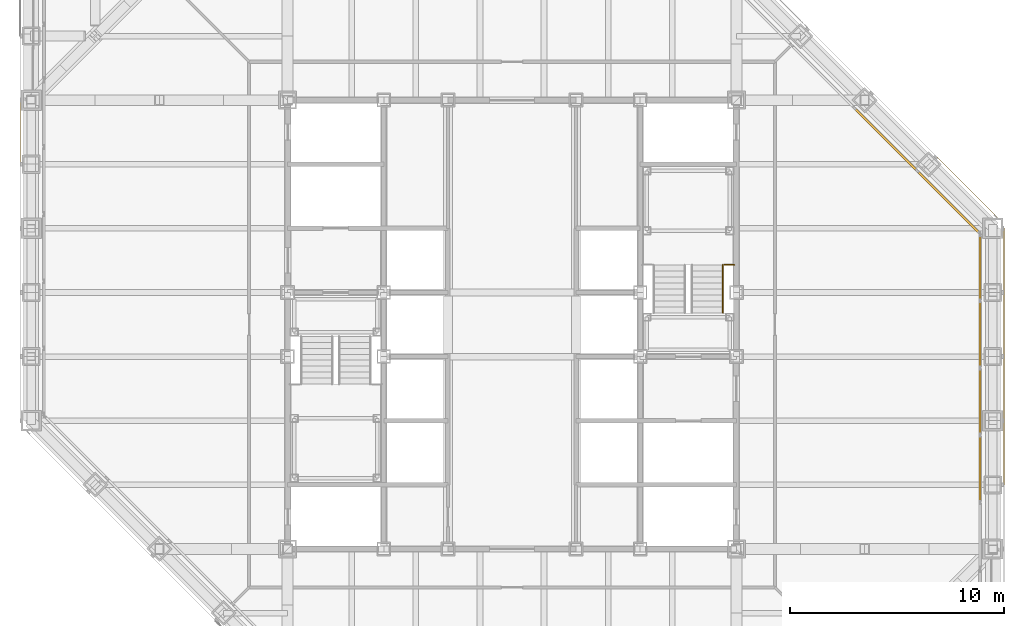
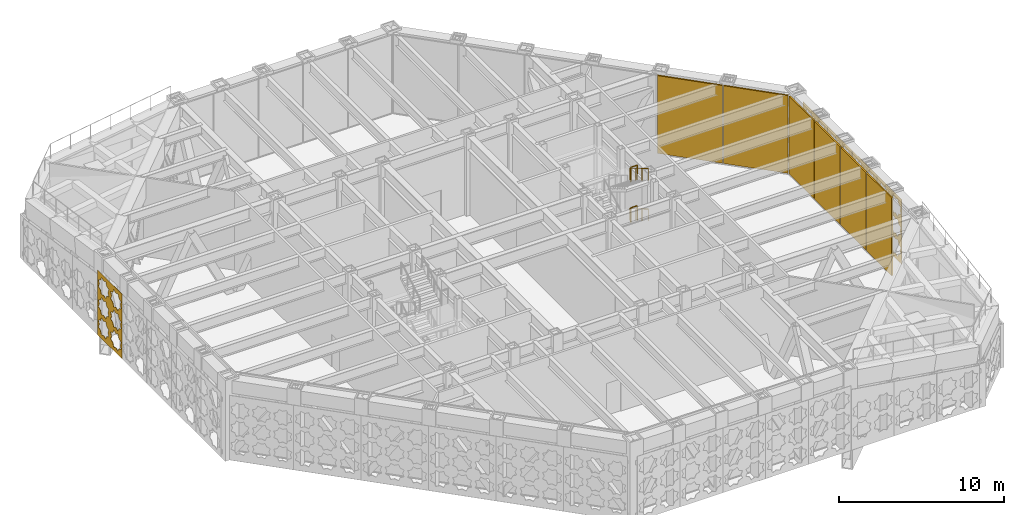
# One storey, part 25 of 28: 6 coverings, 6 shading devices, 4 railings, 2 elements without a shape of their own.
"""IFC4 building model written with IfcOpenShell, lengths in metres."""

import ifcopenshell
import ifcopenshell.guid

model = None  # the IFC model being written
_history = None  # IfcOwnerHistory: only IFC2X3 demands one
_inside = {}  # id of a spatial element -> (the spatial element, [elements in it])
_under = {}  # id of a project, library or spatial element -> (it, [spatial elements below it])
_declared = {}  # id of a project -> (the project, [libraries it declares])
_typed = {}  # id of a type object -> (the type object, [elements of that type])
_made_of = {}  # id of a material, layer set ... -> (it, [elements and type objects made of it])


def new_model(schema):
    """Start an empty IFC model of exactly this schema.

    Asked for "IFC4X3", IfcOpenShell would pick the latest addendum, in which some entities
    have other attributes; the version numbers below select the first issue.
    IFC2X3 requires an IfcOwnerHistory on every rooted entity: one is made here for all.
    """
    global model, _history
    if schema == "IFC4X3":
        model = ifcopenshell.file(schema_version=(4, 3, 0, 0))
    else:
        model = ifcopenshell.file(schema=schema)
    _inside.clear()
    _under.clear()
    _declared.clear()
    _typed.clear()
    _made_of.clear()
    _history = None
    if model.schema == "IFC2X3":
        org = make("IfcOrganization", Name="unknown")
        user = make(
            "IfcPersonAndOrganization",
            ThePerson=make("IfcPerson", FamilyName="unknown"),
            TheOrganization=org,
        )
        app = make(
            "IfcApplication",
            ApplicationDeveloper=org,
            Version="unknown",
            ApplicationFullName="unknown",
            ApplicationIdentifier="unknown",
        )
        _history = make(
            "IfcOwnerHistory",
            OwningUser=user,
            OwningApplication=app,
            ChangeAction="ADDED",
            CreationDate=0,
        )
    return model


def make(cls, **values):
    """One entity of the class cls with the attributes given. An attribute that is None is left unset."""
    return model.create_entity(
        cls, **{name: value for name, value in values.items() if value is not None}
    )


def rooted(cls, **values):
    """An entity with a GlobalId (a new one), such as an element, a storey or a relation."""
    return make(cls, GlobalId=ifcopenshell.guid.new(), OwnerHistory=_history, **values)


def si_unit(unit_type, name, prefix=None):
    """IfcSIUnit, for example si_unit("LENGTHUNIT", "METRE", prefix="MILLI")."""
    return make("IfcSIUnit", UnitType=unit_type, Prefix=prefix, Name=name)


def assignment(units):
    """IfcUnitAssignment: the units of a project."""
    return None if units is None else make("IfcUnitAssignment", Units=units)


def point(xyz):
    """IfcCartesianPoint."""
    return None if xyz is None else make("IfcCartesianPoint", Coordinates=xyz)


def direction(xyz):
    """IfcDirection."""
    return None if xyz is None else make("IfcDirection", DirectionRatios=xyz)


def frame(location, z_axis=None, x_axis=None):
    """IfcAxis2Placement3D, a coordinate frame: its origin and axes. An axis left out is left unset."""
    return make(
        "IfcAxis2Placement3D",
        Location=point(location),
        Axis=direction(z_axis),
        RefDirection=direction(x_axis),
    )


def frame_2d(location, x_axis=None):
    """IfcAxis2Placement2D, a coordinate frame in the plane: its origin and x axis."""
    return make(
        "IfcAxis2Placement2D", Location=point(location), RefDirection=direction(x_axis)
    )


def origin():
    """The frame at (0, 0, 0) with its axes left unset."""
    return frame((0.0, 0.0, 0.0))


def origin_2d():
    """The frame at (0, 0) in the plane with its x axis left unset."""
    return frame_2d((0.0, 0.0))


def place(relative_to, where):
    """IfcLocalPlacement: puts the frame where relative to a parent placement (None: the world)."""
    return make(
        "IfcLocalPlacement", PlacementRelTo=relative_to, RelativePlacement=where
    )


def context(
    kind, dimensions, precision=None, world=None, true_north=None, identifier=None
):
    """IfcGeometricRepresentationContext, for example the 3D "Model" context."""
    return make(
        "IfcGeometricRepresentationContext",
        ContextIdentifier=identifier,
        ContextType=kind,
        CoordinateSpaceDimension=dimensions,
        Precision=precision,
        WorldCoordinateSystem=world,
        TrueNorth=true_north,
    )


def subcontext(parent, identifier, kind, view, scale=None):
    """IfcGeometricRepresentationSubContext, for example "Body" below "Model"."""
    return make(
        "IfcGeometricRepresentationSubContext",
        ContextIdentifier=identifier,
        ContextType=kind,
        ParentContext=parent,
        TargetScale=scale,
        TargetView=view,
    )


def project(units=None, contexts=None):
    """IfcProject with its units and contexts."""
    return rooted(
        "IfcProject",
        Name="project",
        RepresentationContexts=contexts,
        UnitsInContext=assignment(units),
    )


def spatial(cls, under=None, at=None, **own):
    """A site, building, storey or space (cls), placed at a placement, below another one or the project."""
    s = rooted(cls, ObjectPlacement=at, **own)
    if under is not None:
        _under.setdefault(under.id(), (under, []))[1].append(s)
    return s


def polyline(points):
    """IfcPolyline through the points."""
    return make("IfcPolyline", Points=[point(p) for p in points])


def profile(cls, at=None, kind="AREA", **sizes):
    """A parametric profile (cls). Its sizes go by their IFC names, for example OverallWidth=200.0."""
    return make(cls, ProfileType=kind, Position=at, **sizes)


def rectangle(**sizes):
    """IfcRectangleProfileDef."""
    return profile("IfcRectangleProfileDef", **sizes)


def circle(**sizes):
    """IfcCircleProfileDef."""
    return profile("IfcCircleProfileDef", **sizes)


def outline(outer, holes=None, kind="AREA"):
    """IfcArbitraryClosedProfileDef: a profile drawn as a closed curve; with holes, ...WithVoids."""
    if holes is None:
        return make("IfcArbitraryClosedProfileDef", ProfileType=kind, OuterCurve=outer)
    return make(
        "IfcArbitraryProfileDefWithVoids",
        ProfileType=kind,
        OuterCurve=outer,
        InnerCurves=holes,
    )


def extrude(swept, where, along, depth):
    """IfcExtrudedAreaSolid: the profile swept, set in the frame where, extruded along a direction by depth."""
    return make(
        "IfcExtrudedAreaSolid",
        SweptArea=swept,
        Position=where,
        ExtrudedDirection=direction(along),
        Depth=depth,
    )


def shape(context_of_items, identifier, shape_type, items):
    """IfcShapeRepresentation: the items that make up one representation, for example the "Body"."""
    return make(
        "IfcShapeRepresentation",
        ContextOfItems=context_of_items,
        RepresentationIdentifier=identifier,
        RepresentationType=shape_type,
        Items=items,
    )


def material(Name=None, Category=None):
    """IfcMaterial."""
    return make("IfcMaterial", Name=Name, Category=Category)


def layer(
    of_material, thickness, ventilated=None, Name=None, Category=None, Priority=None
):
    """IfcMaterialLayer: one layer of a wall or slab, of a material (None: an air gap)."""
    return make(
        "IfcMaterialLayer",
        Material=of_material,
        LayerThickness=thickness,
        IsVentilated=ventilated,
        Name=Name,
        Category=Category,
        Priority=Priority,
    )


def layer_set(layers, Name=None):
    """IfcMaterialLayerSet."""
    return make("IfcMaterialLayerSet", MaterialLayers=layers, LayerSetName=Name)


def made_of(thing, what):
    """Note that an element or type object is made of a material, layer set ...; save() writes the relation."""
    if what is not None:
        _made_of.setdefault(what.id(), (what, []))[1].append(thing)
    return thing


def type_object(cls, material=None, **own):
    """A type object (cls), such as IfcWallType, which elements share."""
    return made_of(rooted(cls, **own), material)


def element(
    cls,
    number,
    at=None,
    inside=None,
    cuts=None,
    type_object=None,
    material=None,
    context=None,
    identifier="Body",
    shape_type=None,
    held_by="IfcProductDefinitionShape",
    body=None,
    shapes=None,
    **own,
):
    """One element of the class cls, such as IfcWall. Its Tag is "e" and its number.

    at: its placement. inside: the storey or other place that contains it. cuts: it is an
    opening in that element (IfcRelVoidsElement). A single representation is given by context,
    identifier, shape_type and body (its items); several are given by shapes. held_by: the class
    of the entity that holds the representations. save() writes the other relations.
    """
    e = rooted(cls, Tag="e%d" % number, ObjectPlacement=at, **own)
    if body is not None:
        shapes = [shape(context, identifier, shape_type, body)]
    if shapes is not None:
        e.Representation = make(held_by, Representations=shapes)
    if inside is not None:
        _inside.setdefault(inside.id(), (inside, []))[1].append(e)
    if cuts is not None:
        rooted(
            "IfcRelVoidsElement", RelatingBuildingElement=cuts, RelatedOpeningElement=e
        )
    if type_object is not None:
        _typed.setdefault(type_object.id(), (type_object, []))[1].append(e)
    return made_of(e, material)


def aggregate(whole, parts):
    """IfcRelAggregates: a whole, such as a stair, and the parts it consists of."""
    return rooted("IfcRelAggregates", RelatingObject=whole, RelatedObjects=parts)


def save(model, path):
    """Write the relations noted so far, then the file.

    IfcRelAggregates (storeys below a building ...), IfcRelContainedInSpatialStructure (elements
    in a storey), IfcRelDefinesByType, IfcRelAssociatesMaterial and IfcRelDeclares: one each for
    every whole, place, type object, material and project.
    """
    for whole, parts in _under.values():
        aggregate(whole, parts)
    for where, things in _inside.values():
        rooted(
            "IfcRelContainedInSpatialStructure",
            RelatedElements=things,
            RelatingStructure=where,
        )
    for kind, things in _typed.values():
        rooted("IfcRelDefinesByType", RelatedObjects=things, RelatingType=kind)
    for what, things in _made_of.values():
        rooted("IfcRelAssociatesMaterial", RelatedObjects=things, RelatingMaterial=what)
    for by, libraries in _declared.values():
        rooted("IfcRelDeclares", RelatingContext=by, RelatedDefinitions=libraries)
    model.write(path)


model = new_model("IFC4")

# Units and contexts
model_context = context("Model", 3, precision=1e-05, world=origin(), true_north=direction((0.0, 1.0)))
body_context = subcontext(model_context, "Body", "Model", "MODEL_VIEW")
ifc_project = project(units=[si_unit("LENGTHUNIT", "METRE"), si_unit("AREAUNIT", "SQUARE_METRE"), si_unit("VOLUMEUNIT", "CUBIC_METRE"), si_unit("PLANEANGLEUNIT", "RADIAN"), si_unit("MASSUNIT", "GRAM", prefix="KILO")], contexts=[model_context])

# Site, building, storey
site_placement = place(None, origin())
site = spatial("IfcSite", under=ifc_project, at=site_placement, CompositionType="ELEMENT")
building_placement = place(site_placement, origin())
building = spatial("IfcBuilding", under=site, at=building_placement, Name="Chuquiago Exchange Tower", CompositionType="ELEMENT")
storey_placement = place(building_placement, frame((0.0, 0.0, 174.0)))
storey = spatial("IfcBuildingStorey", under=building, at=storey_placement, Name="L38", CompositionType="ELEMENT", Elevation=174.0)

# Curtain wall, shading devices
ifc_material_1 = material(Name="Aluminium curtain wall system", Category="aluminium")
ifc_layer_1 = layer(ifc_material_1, 0.199951171875)
ifc_layer_set_1 = layer_set([ifc_layer_1], Name="CW6 plant floor louvre wall")
curtain_wall_type = type_object("IfcCurtainWallType", Name="CW6 plant floor louvre wall", PredefinedType="NOTDEFINED", material=ifc_layer_set_1)
curtain_wall_1_placement = place(storey_placement, origin())
curtain_wall_1 = element("IfcCurtainWall", 1, at=curtain_wall_1_placement, inside=storey, type_object=curtain_wall_type, Name="CW6 curtain wall L38", PredefinedType="NOTDEFINED")
ifc_material_2 = material(Name="Aluminium louvre", Category="aluminium")
ifc_layer_2 = layer(ifc_material_2, 0.10009765625)
ifc_layer_set_2 = layer_set([ifc_layer_2], Name="CW6-P louvre panel 100")
shading_device_type = type_object("IfcShadingDeviceType", Name="CW6-P louvre panel 100", PredefinedType="USERDEFINED", material=ifc_layer_set_2)
shading_device_1_placement = place(storey_placement, frame((44.39990234375, 15.7578125, 0.0751953125), z_axis=(0.0, 0.0, 1.0), x_axis=(0.0, 1.0, 0.0)))
shading_device_1 = element("IfcShadingDevice", 2, at=shading_device_1_placement, type_object=shading_device_type, Name="CW6 panel 2.1", ObjectType="LOUVER", PredefinedType="USERDEFINED", context=body_context, shape_type="SweptSolid", body=[
    extrude(rectangle(XDim=3.06591796875, YDim=0.10009765625, at=origin_2d()), origin(), (0.0, 0.0, 1.0), 5.764892578125),
])
shading_device_2_placement = place(storey_placement, frame((44.39990234375, 18.89892578125, 0.0751953125), z_axis=(0.0, 0.0, 1.0), x_axis=(0.0, 1.0, 0.0)))
shading_device_2 = element("IfcShadingDevice", 3, at=shading_device_2_placement, type_object=shading_device_type, Name="CW6 panel 3.1", ObjectType="LOUVER", PredefinedType="USERDEFINED", context=body_context, shape_type="SweptSolid", body=[
    extrude(rectangle(XDim=3.06591796875, YDim=0.10009765625, at=origin_2d()), origin(), (0.0, 0.0, 1.0), 5.764892578125),
])
shading_device_3_placement = place(storey_placement, frame((44.39990234375, 22.0400390625, 0.0751953125), z_axis=(0.0, 0.0, 1.0), x_axis=(0.0, 1.0, 0.0)))
shading_device_3 = element("IfcShadingDevice", 4, at=shading_device_3_placement, type_object=shading_device_type, Name="CW6 panel 4.1", ObjectType="LOUVER", PredefinedType="USERDEFINED", context=body_context, shape_type="SweptSolid", body=[
    extrude(rectangle(XDim=3.06591796875, YDim=0.10009765625, at=origin_2d()), origin(), (0.0, 0.0, 1.0), 5.764892578125),
])
shading_device_4_placement = place(storey_placement, frame((44.39990234375, 25.162353515625, 0.0751953125), z_axis=(0.0, 0.0, 1.0), x_axis=(0.0, 1.0, 0.0)))
shading_device_4 = element("IfcShadingDevice", 5, at=shading_device_4_placement, type_object=shading_device_type, Name="CW6 panel 5.1", ObjectType="LOUVER", PredefinedType="USERDEFINED", context=body_context, shape_type="SweptSolid", body=[
    extrude(rectangle(XDim=3.028564453125, YDim=0.10009765625, at=origin_2d()), origin(), (0.0, 0.0, 1.0), 5.764892578125),
])
aggregate(curtain_wall_1, [shading_device_1, shading_device_2, shading_device_3, shading_device_4])

curtain_wall_2_placement = place(storey_placement, origin())
curtain_wall_2 = element("IfcCurtainWall", 6, at=curtain_wall_2_placement, inside=storey, type_object=curtain_wall_type, Name="CW6 curtain wall L38", PredefinedType="NOTDEFINED")
shading_device_5_placement = place(storey_placement, frame((42.916015625, 28.2353515625, 0.0751953125), z_axis=(0.0, 0.0, 1.0), x_axis=(-0.707106781187, 0.707106781187, 0.0)))
shading_device_5 = element("IfcShadingDevice", 7, at=shading_device_5_placement, type_object=shading_device_type, Name="CW6 panel 1.1", ObjectType="LOUVER", PredefinedType="USERDEFINED", context=body_context, shape_type="SweptSolid", body=[
    extrude(rectangle(XDim=4.04736328125, YDim=0.10009765625, at=origin_2d()), origin(), (0.0, 0.0, 1.0), 5.764892578125),
])
shading_device_6_placement = place(storey_placement, frame((39.98779296875, 31.16357421875, 0.0751953125), z_axis=(0.0, 0.0, 1.0), x_axis=(-0.707106781187, 0.707106781187, 0.0)))
shading_device_6 = element("IfcShadingDevice", 8, at=shading_device_6_placement, type_object=shading_device_type, Name="CW6 panel 2.1", ObjectType="LOUVER", PredefinedType="USERDEFINED", context=body_context, shape_type="SweptSolid", body=[
    extrude(rectangle(XDim=4.084716796875, YDim=0.10009765625, at=origin_2d()), origin(), (0.0, 0.0, 1.0), 5.764892578125),
])
aggregate(curtain_wall_2, [shading_device_5, shading_device_6])

# Coverings
ifc_material_3 = material(Name="Anodised aluminium, pale", Category="aluminium")
ifc_layer_3 = layer(ifc_material_3, 0.02001953125)
ifc_layer_set_3 = layer_set([ifc_layer_3], Name="GC1 girih cladding panel 20")
covering_type_1 = type_object("IfcCoveringType", Name="GC1 girih cladding panel 20", PredefinedType="CLADDING", material=ifc_layer_set_3)
covering_1_placement = place(storey_placement, frame((45.5, 15.0048828125, 0.050048828125), z_axis=(0.0, 0.0, 1.0), x_axis=(0.0, 1.0, 0.0)))
element("IfcCovering", 9, at=covering_1_placement, inside=storey, type_object=covering_type_1, Name="Girih cladding panel L38 E 5", PredefinedType="CLADDING", context=body_context, shape_type="SweptSolid", body=[
    extrude(outline(polyline([(0.0, 0.0), (2.989990234375, 0.0), (2.989990234375, 4.7900390625), (0.0, 4.7900390625), (0.0, 0.0)]), holes=[polyline([(1.27392578125, 0.89990234375), (1.3828125, 1.1630859375), (1.11962890625, 1.272216796875), (1.0107421875, 1.535400390625), (0.74755859375, 1.42626953125), (0.484375, 1.535400390625), (0.375244140625, 1.272216796875), (0.112060546875, 1.1630859375), (0.22119140625, 0.89990234375), (0.112060546875, 0.63671875), (0.375244140625, 0.52783203125), (0.484375, 0.2646484375), (0.74755859375, 0.37353515625), (1.0107421875, 0.2646484375), (1.11962890625, 0.52783203125), (1.3828125, 0.63671875), (1.27392578125, 0.89990234375)]), polyline([(2.768798828125, 0.89990234375), (2.8779296875, 1.1630859375), (2.61474609375, 1.272216796875), (2.505615234375, 1.535400390625), (2.242431640625, 1.42626953125), (1.979248046875, 1.535400390625), (1.870361328125, 1.272216796875), (1.607177734375, 1.1630859375), (1.716064453125, 0.89990234375), (1.607177734375, 0.63671875), (1.870361328125, 0.52783203125), (1.979248046875, 0.2646484375), (2.242431640625, 0.37353515625), (2.505615234375, 0.2646484375), (2.61474609375, 0.52783203125), (2.8779296875, 0.63671875), (2.768798828125, 0.89990234375)]), polyline([(1.27392578125, 2.39501953125), (1.3828125, 2.658203125), (1.11962890625, 2.76708984375), (1.0107421875, 3.0302734375), (0.74755859375, 2.92138671875), (0.484375, 3.0302734375), (0.375244140625, 2.76708984375), (0.112060546875, 2.658203125), (0.22119140625, 2.39501953125), (0.112060546875, 2.1318359375), (0.375244140625, 2.022705078125), (0.484375, 1.759521484375), (0.74755859375, 1.86865234375), (1.0107421875, 1.759521484375), (1.11962890625, 2.022705078125), (1.3828125, 2.1318359375), (1.27392578125, 2.39501953125)]), polyline([(2.768798828125, 2.39501953125), (2.8779296875, 2.658203125), (2.61474609375, 2.76708984375), (2.505615234375, 3.0302734375), (2.242431640625, 2.92138671875), (1.979248046875, 3.0302734375), (1.870361328125, 2.76708984375), (1.607177734375, 2.658203125), (1.716064453125, 2.39501953125), (1.607177734375, 2.1318359375), (1.870361328125, 2.022705078125), (1.979248046875, 1.759521484375), (2.242431640625, 1.86865234375), (2.505615234375, 1.759521484375), (2.61474609375, 2.022705078125), (2.8779296875, 2.1318359375), (2.768798828125, 2.39501953125)]), polyline([(1.27392578125, 3.889892578125), (1.3828125, 4.153076171875), (1.11962890625, 4.26220703125), (1.0107421875, 4.525390625), (0.74755859375, 4.416259765625), (0.484375, 4.525390625), (0.375244140625, 4.26220703125), (0.112060546875, 4.153076171875), (0.22119140625, 3.889892578125), (0.112060546875, 3.626708984375), (0.375244140625, 3.517822265625), (0.484375, 3.254638671875), (0.74755859375, 3.363525390625), (1.0107421875, 3.254638671875), (1.11962890625, 3.517822265625), (1.3828125, 3.626708984375), (1.27392578125, 3.889892578125)]), polyline([(2.768798828125, 3.889892578125), (2.8779296875, 4.153076171875), (2.61474609375, 4.26220703125), (2.505615234375, 4.525390625), (2.242431640625, 4.416259765625), (1.979248046875, 4.525390625), (1.870361328125, 4.26220703125), (1.607177734375, 4.153076171875), (1.716064453125, 3.889892578125), (1.607177734375, 3.626708984375), (1.870361328125, 3.517822265625), (1.979248046875, 3.254638671875), (2.242431640625, 3.363525390625), (2.505615234375, 3.254638671875), (2.61474609375, 3.517822265625), (2.8779296875, 3.626708984375), (2.768798828125, 3.889892578125)])]), frame((0.0, 0.0, 0.0), z_axis=(0.0, -1.0, 0.0), x_axis=(1.0, 0.0, 0.0)), (0.0, 0.0, 1.0), 0.02001953125),
])
covering_2_placement = place(storey_placement, frame((45.5, 18.0048828125, 0.050048828125), z_axis=(0.0, 0.0, 1.0), x_axis=(0.0, 1.0, 0.0)))
element("IfcCovering", 10, at=covering_2_placement, inside=storey, type_object=covering_type_1, Name="Girih cladding panel L38 E 6", PredefinedType="CLADDING", context=body_context, shape_type="SweptSolid", body=[
    extrude(outline(polyline([(0.0, 0.0), (2.989990234375, 0.0), (2.989990234375, 4.7900390625), (0.0, 4.7900390625), (0.0, 0.0)]), holes=[polyline([(1.27392578125, 0.89990234375), (1.3828125, 1.1630859375), (1.11962890625, 1.272216796875), (1.0107421875, 1.535400390625), (0.74755859375, 1.42626953125), (0.484375, 1.535400390625), (0.375244140625, 1.272216796875), (0.112060546875, 1.1630859375), (0.22119140625, 0.89990234375), (0.112060546875, 0.63671875), (0.375244140625, 0.52783203125), (0.484375, 0.2646484375), (0.74755859375, 0.37353515625), (1.0107421875, 0.2646484375), (1.11962890625, 0.52783203125), (1.3828125, 0.63671875), (1.27392578125, 0.89990234375)]), polyline([(2.768798828125, 0.89990234375), (2.8779296875, 1.1630859375), (2.61474609375, 1.272216796875), (2.505615234375, 1.535400390625), (2.242431640625, 1.42626953125), (1.979248046875, 1.535400390625), (1.870361328125, 1.272216796875), (1.607177734375, 1.1630859375), (1.716064453125, 0.89990234375), (1.607177734375, 0.63671875), (1.870361328125, 0.52783203125), (1.979248046875, 0.2646484375), (2.242431640625, 0.37353515625), (2.505615234375, 0.2646484375), (2.61474609375, 0.52783203125), (2.8779296875, 0.63671875), (2.768798828125, 0.89990234375)]), polyline([(1.27392578125, 2.39501953125), (1.3828125, 2.658203125), (1.11962890625, 2.76708984375), (1.0107421875, 3.0302734375), (0.74755859375, 2.92138671875), (0.484375, 3.0302734375), (0.375244140625, 2.76708984375), (0.112060546875, 2.658203125), (0.22119140625, 2.39501953125), (0.112060546875, 2.1318359375), (0.375244140625, 2.022705078125), (0.484375, 1.759521484375), (0.74755859375, 1.86865234375), (1.0107421875, 1.759521484375), (1.11962890625, 2.022705078125), (1.3828125, 2.1318359375), (1.27392578125, 2.39501953125)]), polyline([(2.768798828125, 2.39501953125), (2.8779296875, 2.658203125), (2.61474609375, 2.76708984375), (2.505615234375, 3.0302734375), (2.242431640625, 2.92138671875), (1.979248046875, 3.0302734375), (1.870361328125, 2.76708984375), (1.607177734375, 2.658203125), (1.716064453125, 2.39501953125), (1.607177734375, 2.1318359375), (1.870361328125, 2.022705078125), (1.979248046875, 1.759521484375), (2.242431640625, 1.86865234375), (2.505615234375, 1.759521484375), (2.61474609375, 2.022705078125), (2.8779296875, 2.1318359375), (2.768798828125, 2.39501953125)]), polyline([(1.27392578125, 3.889892578125), (1.3828125, 4.153076171875), (1.11962890625, 4.26220703125), (1.0107421875, 4.525390625), (0.74755859375, 4.416259765625), (0.484375, 4.525390625), (0.375244140625, 4.26220703125), (0.112060546875, 4.153076171875), (0.22119140625, 3.889892578125), (0.112060546875, 3.626708984375), (0.375244140625, 3.517822265625), (0.484375, 3.254638671875), (0.74755859375, 3.363525390625), (1.0107421875, 3.254638671875), (1.11962890625, 3.517822265625), (1.3828125, 3.626708984375), (1.27392578125, 3.889892578125)]), polyline([(2.768798828125, 3.889892578125), (2.8779296875, 4.153076171875), (2.61474609375, 4.26220703125), (2.505615234375, 4.525390625), (2.242431640625, 4.416259765625), (1.979248046875, 4.525390625), (1.870361328125, 4.26220703125), (1.607177734375, 4.153076171875), (1.716064453125, 3.889892578125), (1.607177734375, 3.626708984375), (1.870361328125, 3.517822265625), (1.979248046875, 3.254638671875), (2.242431640625, 3.363525390625), (2.505615234375, 3.254638671875), (2.61474609375, 3.517822265625), (2.8779296875, 3.626708984375), (2.768798828125, 3.889892578125)])]), frame((0.0, 0.0, 0.0), z_axis=(0.0, -1.0, 0.0), x_axis=(1.0, 0.0, 0.0)), (0.0, 0.0, 1.0), 0.02001953125),
])
covering_3_placement = place(storey_placement, frame((45.5, 21.0048828125, 0.050048828125), z_axis=(0.0, 0.0, 1.0), x_axis=(0.0, 1.0, 0.0)))
element("IfcCovering", 11, at=covering_3_placement, inside=storey, type_object=covering_type_1, Name="Girih cladding panel L38 E 7", PredefinedType="CLADDING", context=body_context, shape_type="SweptSolid", body=[
    extrude(outline(polyline([(0.0, 0.0), (2.989990234375, 0.0), (2.989990234375, 4.7900390625), (0.0, 4.7900390625), (0.0, 0.0)]), holes=[polyline([(1.27392578125, 0.89990234375), (1.3828125, 1.1630859375), (1.11962890625, 1.272216796875), (1.0107421875, 1.535400390625), (0.74755859375, 1.42626953125), (0.484375, 1.535400390625), (0.375244140625, 1.272216796875), (0.112060546875, 1.1630859375), (0.22119140625, 0.89990234375), (0.112060546875, 0.63671875), (0.375244140625, 0.52783203125), (0.484375, 0.2646484375), (0.74755859375, 0.37353515625), (1.0107421875, 0.2646484375), (1.11962890625, 0.52783203125), (1.3828125, 0.63671875), (1.27392578125, 0.89990234375)]), polyline([(2.768798828125, 0.89990234375), (2.8779296875, 1.1630859375), (2.61474609375, 1.272216796875), (2.505615234375, 1.535400390625), (2.242431640625, 1.42626953125), (1.979248046875, 1.535400390625), (1.870361328125, 1.272216796875), (1.607177734375, 1.1630859375), (1.716064453125, 0.89990234375), (1.607177734375, 0.63671875), (1.870361328125, 0.52783203125), (1.979248046875, 0.2646484375), (2.242431640625, 0.37353515625), (2.505615234375, 0.2646484375), (2.61474609375, 0.52783203125), (2.8779296875, 0.63671875), (2.768798828125, 0.89990234375)]), polyline([(1.27392578125, 2.39501953125), (1.3828125, 2.658203125), (1.11962890625, 2.76708984375), (1.0107421875, 3.0302734375), (0.74755859375, 2.92138671875), (0.484375, 3.0302734375), (0.375244140625, 2.76708984375), (0.112060546875, 2.658203125), (0.22119140625, 2.39501953125), (0.112060546875, 2.1318359375), (0.375244140625, 2.022705078125), (0.484375, 1.759521484375), (0.74755859375, 1.86865234375), (1.0107421875, 1.759521484375), (1.11962890625, 2.022705078125), (1.3828125, 2.1318359375), (1.27392578125, 2.39501953125)]), polyline([(2.768798828125, 2.39501953125), (2.8779296875, 2.658203125), (2.61474609375, 2.76708984375), (2.505615234375, 3.0302734375), (2.242431640625, 2.92138671875), (1.979248046875, 3.0302734375), (1.870361328125, 2.76708984375), (1.607177734375, 2.658203125), (1.716064453125, 2.39501953125), (1.607177734375, 2.1318359375), (1.870361328125, 2.022705078125), (1.979248046875, 1.759521484375), (2.242431640625, 1.86865234375), (2.505615234375, 1.759521484375), (2.61474609375, 2.022705078125), (2.8779296875, 2.1318359375), (2.768798828125, 2.39501953125)]), polyline([(1.27392578125, 3.889892578125), (1.3828125, 4.153076171875), (1.11962890625, 4.26220703125), (1.0107421875, 4.525390625), (0.74755859375, 4.416259765625), (0.484375, 4.525390625), (0.375244140625, 4.26220703125), (0.112060546875, 4.153076171875), (0.22119140625, 3.889892578125), (0.112060546875, 3.626708984375), (0.375244140625, 3.517822265625), (0.484375, 3.254638671875), (0.74755859375, 3.363525390625), (1.0107421875, 3.254638671875), (1.11962890625, 3.517822265625), (1.3828125, 3.626708984375), (1.27392578125, 3.889892578125)]), polyline([(2.768798828125, 3.889892578125), (2.8779296875, 4.153076171875), (2.61474609375, 4.26220703125), (2.505615234375, 4.525390625), (2.242431640625, 4.416259765625), (1.979248046875, 4.525390625), (1.870361328125, 4.26220703125), (1.607177734375, 4.153076171875), (1.716064453125, 3.889892578125), (1.607177734375, 3.626708984375), (1.870361328125, 3.517822265625), (1.979248046875, 3.254638671875), (2.242431640625, 3.363525390625), (2.505615234375, 3.254638671875), (2.61474609375, 3.517822265625), (2.8779296875, 3.626708984375), (2.768798828125, 3.889892578125)])]), frame((0.0, 0.0, 0.0), z_axis=(0.0, -1.0, 0.0), x_axis=(1.0, 0.0, 0.0)), (0.0, 0.0, 1.0), 0.02001953125),
])
covering_4_placement = place(storey_placement, frame((45.5, 24.0048828125, 0.050048828125), z_axis=(0.0, 0.0, 1.0), x_axis=(0.0, 1.0, 0.0)))
element("IfcCovering", 12, at=covering_4_placement, inside=storey, type_object=covering_type_1, Name="Girih cladding panel L38 E 8", PredefinedType="CLADDING", context=body_context, shape_type="SweptSolid", body=[
    extrude(outline(polyline([(0.0, 0.0), (2.989990234375, 0.0), (2.989990234375, 4.7900390625), (0.0, 4.7900390625), (0.0, 0.0)]), holes=[polyline([(1.27392578125, 0.89990234375), (1.3828125, 1.1630859375), (1.11962890625, 1.272216796875), (1.0107421875, 1.535400390625), (0.74755859375, 1.42626953125), (0.484375, 1.535400390625), (0.375244140625, 1.272216796875), (0.112060546875, 1.1630859375), (0.22119140625, 0.89990234375), (0.112060546875, 0.63671875), (0.375244140625, 0.52783203125), (0.484375, 0.2646484375), (0.74755859375, 0.37353515625), (1.0107421875, 0.2646484375), (1.11962890625, 0.52783203125), (1.3828125, 0.63671875), (1.27392578125, 0.89990234375)]), polyline([(2.768798828125, 0.89990234375), (2.8779296875, 1.1630859375), (2.61474609375, 1.272216796875), (2.505615234375, 1.535400390625), (2.242431640625, 1.42626953125), (1.979248046875, 1.535400390625), (1.870361328125, 1.272216796875), (1.607177734375, 1.1630859375), (1.716064453125, 0.89990234375), (1.607177734375, 0.63671875), (1.870361328125, 0.52783203125), (1.979248046875, 0.2646484375), (2.242431640625, 0.37353515625), (2.505615234375, 0.2646484375), (2.61474609375, 0.52783203125), (2.8779296875, 0.63671875), (2.768798828125, 0.89990234375)]), polyline([(1.27392578125, 2.39501953125), (1.3828125, 2.658203125), (1.11962890625, 2.76708984375), (1.0107421875, 3.0302734375), (0.74755859375, 2.92138671875), (0.484375, 3.0302734375), (0.375244140625, 2.76708984375), (0.112060546875, 2.658203125), (0.22119140625, 2.39501953125), (0.112060546875, 2.1318359375), (0.375244140625, 2.022705078125), (0.484375, 1.759521484375), (0.74755859375, 1.86865234375), (1.0107421875, 1.759521484375), (1.11962890625, 2.022705078125), (1.3828125, 2.1318359375), (1.27392578125, 2.39501953125)]), polyline([(2.768798828125, 2.39501953125), (2.8779296875, 2.658203125), (2.61474609375, 2.76708984375), (2.505615234375, 3.0302734375), (2.242431640625, 2.92138671875), (1.979248046875, 3.0302734375), (1.870361328125, 2.76708984375), (1.607177734375, 2.658203125), (1.716064453125, 2.39501953125), (1.607177734375, 2.1318359375), (1.870361328125, 2.022705078125), (1.979248046875, 1.759521484375), (2.242431640625, 1.86865234375), (2.505615234375, 1.759521484375), (2.61474609375, 2.022705078125), (2.8779296875, 2.1318359375), (2.768798828125, 2.39501953125)]), polyline([(1.27392578125, 3.889892578125), (1.3828125, 4.153076171875), (1.11962890625, 4.26220703125), (1.0107421875, 4.525390625), (0.74755859375, 4.416259765625), (0.484375, 4.525390625), (0.375244140625, 4.26220703125), (0.112060546875, 4.153076171875), (0.22119140625, 3.889892578125), (0.112060546875, 3.626708984375), (0.375244140625, 3.517822265625), (0.484375, 3.254638671875), (0.74755859375, 3.363525390625), (1.0107421875, 3.254638671875), (1.11962890625, 3.517822265625), (1.3828125, 3.626708984375), (1.27392578125, 3.889892578125)]), polyline([(2.768798828125, 3.889892578125), (2.8779296875, 4.153076171875), (2.61474609375, 4.26220703125), (2.505615234375, 4.525390625), (2.242431640625, 4.416259765625), (1.979248046875, 4.525390625), (1.870361328125, 4.26220703125), (1.607177734375, 4.153076171875), (1.716064453125, 3.889892578125), (1.607177734375, 3.626708984375), (1.870361328125, 3.517822265625), (1.979248046875, 3.254638671875), (2.242431640625, 3.363525390625), (2.505615234375, 3.254638671875), (2.61474609375, 3.517822265625), (2.8779296875, 3.626708984375), (2.768798828125, 3.889892578125)])]), frame((0.0, 0.0, 0.0), z_axis=(0.0, -1.0, 0.0), x_axis=(1.0, 0.0, 0.0)), (0.0, 0.0, 1.0), 0.02001953125),
])
covering_5_placement = place(storey_placement, frame((-0.5, 32.9951171875, 0.050048828125), z_axis=(0.0, 0.0, 1.0), x_axis=(0.0, -1.0, 0.0)))
element("IfcCovering", 13, at=covering_5_placement, inside=storey, type_object=covering_type_1, Name="Girih cladding panel L38 W 4", PredefinedType="CLADDING", context=body_context, shape_type="SweptSolid", body=[
    extrude(outline(polyline([(0.0, 0.0), (2.989990234375, 0.0), (2.989990234375, 4.7900390625), (0.0, 4.7900390625), (0.0, 0.0)]), holes=[polyline([(1.27392578125, 0.89990234375), (1.3828125, 1.1630859375), (1.11962890625, 1.272216796875), (1.0107421875, 1.535400390625), (0.74755859375, 1.42626953125), (0.484375, 1.535400390625), (0.375244140625, 1.272216796875), (0.112060546875, 1.1630859375), (0.22119140625, 0.89990234375), (0.112060546875, 0.63671875), (0.375244140625, 0.52783203125), (0.484375, 0.2646484375), (0.74755859375, 0.37353515625), (1.0107421875, 0.2646484375), (1.11962890625, 0.52783203125), (1.3828125, 0.63671875), (1.27392578125, 0.89990234375)]), polyline([(2.768798828125, 0.89990234375), (2.8779296875, 1.1630859375), (2.61474609375, 1.272216796875), (2.505615234375, 1.535400390625), (2.242431640625, 1.42626953125), (1.979248046875, 1.535400390625), (1.870361328125, 1.272216796875), (1.607177734375, 1.1630859375), (1.716064453125, 0.89990234375), (1.607177734375, 0.63671875), (1.870361328125, 0.52783203125), (1.979248046875, 0.2646484375), (2.242431640625, 0.37353515625), (2.505615234375, 0.2646484375), (2.61474609375, 0.52783203125), (2.8779296875, 0.63671875), (2.768798828125, 0.89990234375)]), polyline([(1.27392578125, 2.39501953125), (1.3828125, 2.658203125), (1.11962890625, 2.76708984375), (1.0107421875, 3.0302734375), (0.74755859375, 2.92138671875), (0.484375, 3.0302734375), (0.375244140625, 2.76708984375), (0.112060546875, 2.658203125), (0.22119140625, 2.39501953125), (0.112060546875, 2.1318359375), (0.375244140625, 2.022705078125), (0.484375, 1.759521484375), (0.74755859375, 1.86865234375), (1.0107421875, 1.759521484375), (1.11962890625, 2.022705078125), (1.3828125, 2.1318359375), (1.27392578125, 2.39501953125)]), polyline([(2.768798828125, 2.39501953125), (2.8779296875, 2.658203125), (2.61474609375, 2.76708984375), (2.505615234375, 3.0302734375), (2.242431640625, 2.92138671875), (1.979248046875, 3.0302734375), (1.870361328125, 2.76708984375), (1.607177734375, 2.658203125), (1.716064453125, 2.39501953125), (1.607177734375, 2.1318359375), (1.870361328125, 2.022705078125), (1.979248046875, 1.759521484375), (2.242431640625, 1.86865234375), (2.505615234375, 1.759521484375), (2.61474609375, 2.022705078125), (2.8779296875, 2.1318359375), (2.768798828125, 2.39501953125)]), polyline([(1.27392578125, 3.889892578125), (1.3828125, 4.153076171875), (1.11962890625, 4.26220703125), (1.0107421875, 4.525390625), (0.74755859375, 4.416259765625), (0.484375, 4.525390625), (0.375244140625, 4.26220703125), (0.112060546875, 4.153076171875), (0.22119140625, 3.889892578125), (0.112060546875, 3.626708984375), (0.375244140625, 3.517822265625), (0.484375, 3.254638671875), (0.74755859375, 3.363525390625), (1.0107421875, 3.254638671875), (1.11962890625, 3.517822265625), (1.3828125, 3.626708984375), (1.27392578125, 3.889892578125)]), polyline([(2.768798828125, 3.889892578125), (2.8779296875, 4.153076171875), (2.61474609375, 4.26220703125), (2.505615234375, 4.525390625), (2.242431640625, 4.416259765625), (1.979248046875, 4.525390625), (1.870361328125, 4.26220703125), (1.607177734375, 4.153076171875), (1.716064453125, 3.889892578125), (1.607177734375, 3.626708984375), (1.870361328125, 3.517822265625), (1.979248046875, 3.254638671875), (2.242431640625, 3.363525390625), (2.505615234375, 3.254638671875), (2.61474609375, 3.517822265625), (2.8779296875, 3.626708984375), (2.768798828125, 3.889892578125)])]), frame((0.0, 0.0, 0.0), z_axis=(0.0, -1.0, 0.0), x_axis=(1.0, 0.0, 0.0)), (0.0, 0.0, 1.0), 0.02001953125),
])
ifc_material_4 = material(Name="Anodised aluminium, pale", Category="aluminium")
ifc_layer_4 = layer(ifc_material_4, 0.02001953125)
ifc_layer_set_4 = layer_set([ifc_layer_4], Name="GC5 girih cladding panel 20")
covering_type_2 = type_object("IfcCoveringType", Name="GC5 girih cladding panel 20", PredefinedType="CLADDING", material=ifc_layer_set_4)
covering_6_placement = place(storey_placement, frame((45.20703125, 27.5, 0.050048828125), z_axis=(0.0, 0.0, 1.0), x_axis=(-0.707106781187, 0.707106781187, 0.0)))
element("IfcCovering", 14, at=covering_6_placement, inside=storey, type_object=covering_type_2, Name="Girih cladding panel L38 NE 1", PredefinedType="CLADDING", context=body_context, shape_type="SweptSolid", body=[
    extrude(outline(polyline([(0.0, 0.0), (4.030517578125, 0.0), (4.030517578125, 4.7900390625), (0.0, 4.7900390625), (0.0, 0.0)]), holes=[polyline([(1.144775390625, 1.051513671875), (1.24267578125, 1.287841796875), (1.006103515625, 1.385986328125), (0.908203125, 1.62255859375), (0.671630859375, 1.5244140625), (0.435302734375, 1.62255859375), (0.33740234375, 1.385986328125), (0.100830078125, 1.287841796875), (0.19873046875, 1.051513671875), (0.100830078125, 0.81494140625), (0.33740234375, 0.717041015625), (0.435302734375, 0.48046875), (0.671630859375, 0.578369140625), (0.908203125, 0.48046875), (1.006103515625, 0.717041015625), (1.24267578125, 0.81494140625), (1.144775390625, 1.051513671875)]), polyline([(2.48828125, 1.051513671875), (2.586181640625, 1.287841796875), (2.349609375, 1.385986328125), (2.251708984375, 1.62255859375), (2.01513671875, 1.5244140625), (1.77880859375, 1.62255859375), (1.680908203125, 1.385986328125), (1.4443359375, 1.287841796875), (1.542236328125, 1.051513671875), (1.4443359375, 0.81494140625), (1.680908203125, 0.717041015625), (1.77880859375, 0.48046875), (2.01513671875, 0.578369140625), (2.251708984375, 0.48046875), (2.349609375, 0.717041015625), (2.586181640625, 0.81494140625), (2.48828125, 1.051513671875)]), polyline([(3.831787109375, 1.051513671875), (3.9296875, 1.287841796875), (3.693115234375, 1.385986328125), (3.59521484375, 1.62255859375), (3.358642578125, 1.5244140625), (3.122314453125, 1.62255859375), (3.0244140625, 1.385986328125), (2.787841796875, 1.287841796875), (2.8857421875, 1.051513671875), (2.787841796875, 0.81494140625), (3.0244140625, 0.717041015625), (3.122314453125, 0.48046875), (3.358642578125, 0.578369140625), (3.59521484375, 0.48046875), (3.693115234375, 0.717041015625), (3.9296875, 0.81494140625), (3.831787109375, 1.051513671875)]), polyline([(1.144775390625, 2.39501953125), (1.24267578125, 2.63134765625), (1.006103515625, 2.7294921875), (0.908203125, 2.966064453125), (0.671630859375, 2.867919921875), (0.435302734375, 2.966064453125), (0.33740234375, 2.7294921875), (0.100830078125, 2.63134765625), (0.19873046875, 2.39501953125), (0.100830078125, 2.158447265625), (0.33740234375, 2.060546875), (0.435302734375, 1.823974609375), (0.671630859375, 1.921875), (0.908203125, 1.823974609375), (1.006103515625, 2.060546875), (1.24267578125, 2.158447265625), (1.144775390625, 2.39501953125)]), polyline([(2.48828125, 2.39501953125), (2.586181640625, 2.63134765625), (2.349609375, 2.7294921875), (2.251708984375, 2.966064453125), (2.01513671875, 2.867919921875), (1.77880859375, 2.966064453125), (1.680908203125, 2.7294921875), (1.4443359375, 2.63134765625), (1.542236328125, 2.39501953125), (1.4443359375, 2.158447265625), (1.680908203125, 2.060546875), (1.77880859375, 1.823974609375), (2.01513671875, 1.921875), (2.251708984375, 1.823974609375), (2.349609375, 2.060546875), (2.586181640625, 2.158447265625), (2.48828125, 2.39501953125)]), polyline([(3.831787109375, 2.39501953125), (3.9296875, 2.63134765625), (3.693115234375, 2.7294921875), (3.59521484375, 2.966064453125), (3.358642578125, 2.867919921875), (3.122314453125, 2.966064453125), (3.0244140625, 2.7294921875), (2.787841796875, 2.63134765625), (2.8857421875, 2.39501953125), (2.787841796875, 2.158447265625), (3.0244140625, 2.060546875), (3.122314453125, 1.823974609375), (3.358642578125, 1.921875), (3.59521484375, 1.823974609375), (3.693115234375, 2.060546875), (3.9296875, 2.158447265625), (3.831787109375, 2.39501953125)]), polyline([(1.144775390625, 3.738525390625), (1.24267578125, 3.974853515625), (1.006103515625, 4.072998046875), (0.908203125, 4.3095703125), (0.671630859375, 4.21142578125), (0.435302734375, 4.3095703125), (0.33740234375, 4.072998046875), (0.100830078125, 3.974853515625), (0.19873046875, 3.738525390625), (0.100830078125, 3.501953125), (0.33740234375, 3.404052734375), (0.435302734375, 3.16748046875), (0.671630859375, 3.265380859375), (0.908203125, 3.16748046875), (1.006103515625, 3.404052734375), (1.24267578125, 3.501953125), (1.144775390625, 3.738525390625)]), polyline([(2.48828125, 3.738525390625), (2.586181640625, 3.974853515625), (2.349609375, 4.072998046875), (2.251708984375, 4.3095703125), (2.01513671875, 4.21142578125), (1.77880859375, 4.3095703125), (1.680908203125, 4.072998046875), (1.4443359375, 3.974853515625), (1.542236328125, 3.738525390625), (1.4443359375, 3.501953125), (1.680908203125, 3.404052734375), (1.77880859375, 3.16748046875), (2.01513671875, 3.265380859375), (2.251708984375, 3.16748046875), (2.349609375, 3.404052734375), (2.586181640625, 3.501953125), (2.48828125, 3.738525390625)]), polyline([(3.831787109375, 3.738525390625), (3.9296875, 3.974853515625), (3.693115234375, 4.072998046875), (3.59521484375, 4.3095703125), (3.358642578125, 4.21142578125), (3.122314453125, 4.3095703125), (3.0244140625, 4.072998046875), (2.787841796875, 3.974853515625), (2.8857421875, 3.738525390625), (2.787841796875, 3.501953125), (3.0244140625, 3.404052734375), (3.122314453125, 3.16748046875), (3.358642578125, 3.265380859375), (3.59521484375, 3.16748046875), (3.693115234375, 3.404052734375), (3.9296875, 3.501953125), (3.831787109375, 3.738525390625)])]), frame((0.0, 0.0, 0.0), z_axis=(0.0, -1.0, 0.0), x_axis=(1.0, 0.0, 0.0)), (0.0, 0.0, 1.0), 0.02001953125),
])

# Railings
ifc_material_5 = material(Name="Pale metal guard with safety glass infill", Category="glass")
railing_type_1 = type_object("IfcRailingType", Name="GR1 guard 1100", PredefinedType="GUARDRAIL", material=ifc_material_5)
for number, where, name in (
    (15, (32.445068359375, 25.2900390625, 1.5), "Guard ST2 L38 landing 2"),
    (16, (32.445068359375, 25.2900390625, 4.5), "Guard ST2 L38 landing 4"),
):
    element("IfcRailing", number, at=place(storey_placement, frame(where)), inside=storey, type_object=railing_type_1, Name=name, PredefinedType="GUARDRAIL", context=body_context, shape_type="SweptSolid", body=[
        extrude(circle(Radius=0.02392578125, at=origin_2d()), frame((0.0, 0.0, 1.076171875), z_axis=(1.0, 0.0, 0.0), x_axis=(0.0, 1.0, 0.0)), (0.0, 0.0, 1.0), 0.454833984375),
        extrude(circle(Radius=0.02099609375, at=origin_2d()), origin(), (0.0, 0.0, 1.0), 1.052001953125),
        extrude(circle(Radius=0.02099609375, at=origin_2d()), frame((0.454833984375, 0.0, 0.0)), (0.0, 0.0, 1.0), 1.052001953125),
    ])
ifc_material_6 = material(Name="Pale metal handrail", Category="steel")
railing_type_2 = type_object("IfcRailingType", Name="HR1 handrail 900", PredefinedType="HANDRAIL", material=ifc_material_6)
for number, where, name in (
    (17, (32.364990234375, 25.2900390625, 1.666748046875), "Handrail ST2 L38 flight 2"),
    (18, (32.364990234375, 25.2900390625, 4.666748046875), "Handrail ST2 L38 flight 4"),
):
    element("IfcRailing", number, at=place(storey_placement, frame(where)), inside=storey, type_object=railing_type_2, Name=name, PredefinedType="HANDRAIL", context=body_context, shape_type="SweptSolid", body=[
        extrude(circle(Radius=0.02392578125, at=origin_2d()), frame((0.0, 0.0, 0.8759765625), z_axis=(0.0, -0.859305625298, 0.511462454469), x_axis=(1.0, 0.0, 0.0)), (0.0, 0.0, 1.0), 2.606689453125),
        extrude(circle(Radius=0.02099609375, at=origin_2d()), origin(), (0.0, 0.0, 1.0), 0.851806640625),
        extrude(circle(Radius=0.02099609375, at=origin_2d()), frame((0.0, -0.74658203125, 0.4443359375)), (0.0, 0.0, 1.0), 0.851806640625),
        extrude(circle(Radius=0.02099609375, at=origin_2d()), frame((0.0, -1.493408203125, 0.888916015625)), (0.0, 0.0, 1.0), 0.851806640625),
        extrude(circle(Radius=0.02099609375, at=origin_2d()), frame((0.0, -2.239990234375, 1.333251953125)), (0.0, 0.0, 1.0), 0.851806640625),
    ])

save(model, "model.ifc")
